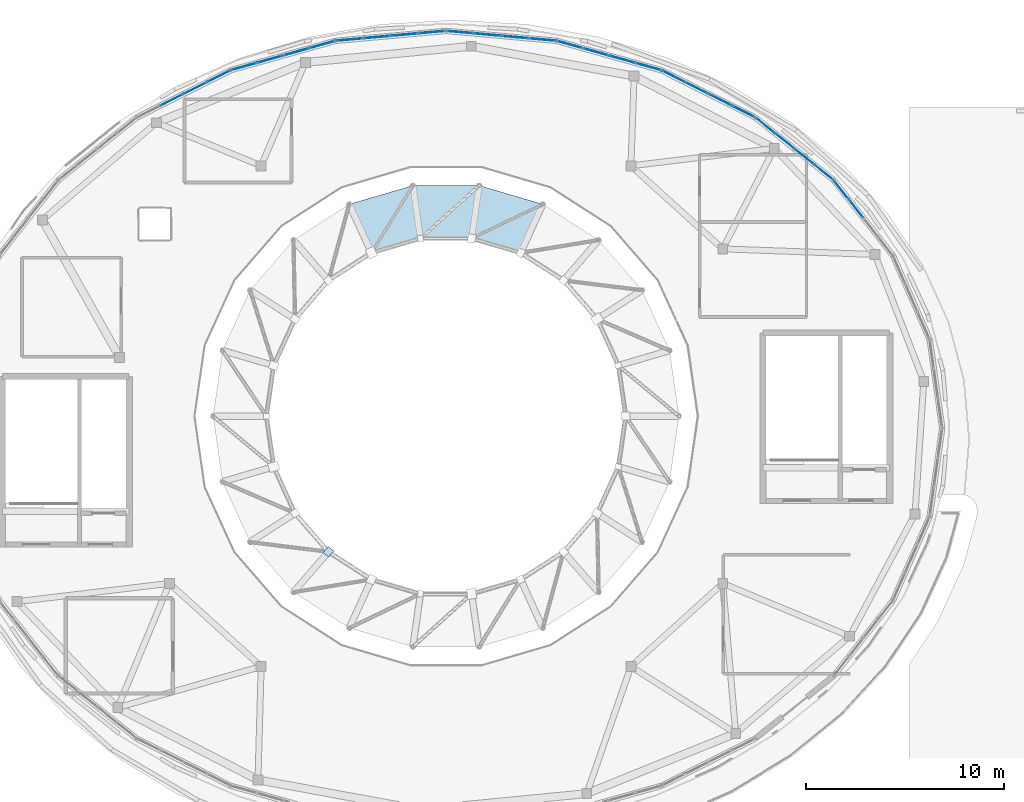
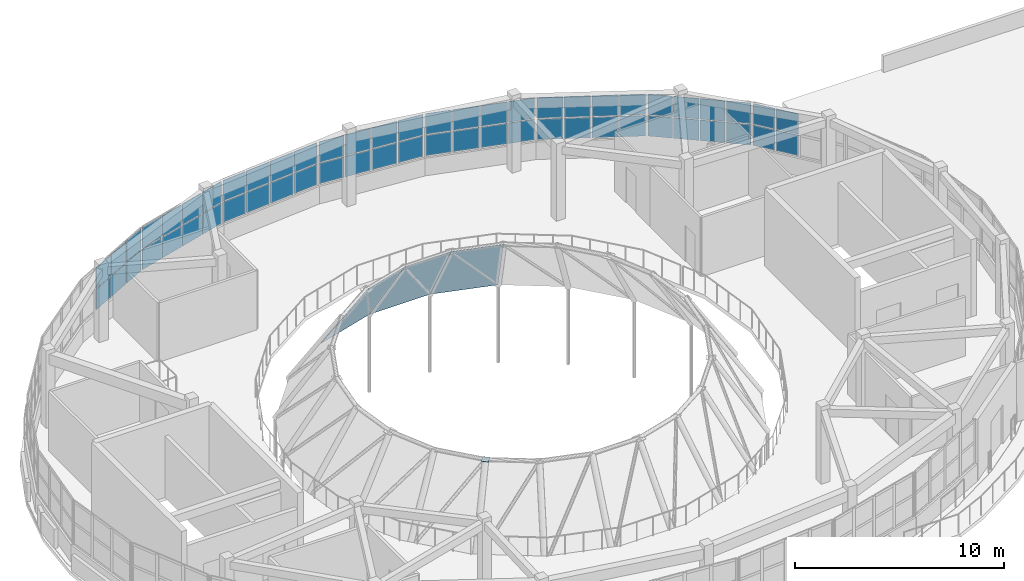
# One storey, part 32 of 38: 62 plates, 8 elements without a shape of their own.
"""IFC4 building model written with IfcOpenShell, lengths in metres."""

import ifcopenshell
import ifcopenshell.guid

model = None  # the IFC model being written
_history = None  # IfcOwnerHistory: only IFC2X3 demands one
_inside = {}  # id of a spatial element -> (the spatial element, [elements in it])
_under = {}  # id of a project, library or spatial element -> (it, [spatial elements below it])
_declared = {}  # id of a project -> (the project, [libraries it declares])
_typed = {}  # id of a type object -> (the type object, [elements of that type])
_made_of = {}  # id of a material, layer set ... -> (it, [elements and type objects made of it])


def new_model(schema):
    """Start an empty IFC model of exactly this schema.

    Asked for "IFC4X3", IfcOpenShell would pick the latest addendum, in which some entities
    have other attributes; the version numbers below select the first issue.
    IFC2X3 requires an IfcOwnerHistory on every rooted entity: one is made here for all.
    """
    global model, _history
    if schema == "IFC4X3":
        model = ifcopenshell.file(schema_version=(4, 3, 0, 0))
    else:
        model = ifcopenshell.file(schema=schema)
    _inside.clear()
    _under.clear()
    _declared.clear()
    _typed.clear()
    _made_of.clear()
    _history = None
    if model.schema == "IFC2X3":
        org = make("IfcOrganization", Name="unknown")
        user = make(
            "IfcPersonAndOrganization",
            ThePerson=make("IfcPerson", FamilyName="unknown"),
            TheOrganization=org,
        )
        app = make(
            "IfcApplication",
            ApplicationDeveloper=org,
            Version="unknown",
            ApplicationFullName="unknown",
            ApplicationIdentifier="unknown",
        )
        _history = make(
            "IfcOwnerHistory",
            OwningUser=user,
            OwningApplication=app,
            ChangeAction="ADDED",
            CreationDate=0,
        )
    return model


def make(cls, **values):
    """One entity of the class cls with the attributes given. An attribute that is None is left unset."""
    return model.create_entity(
        cls, **{name: value for name, value in values.items() if value is not None}
    )


def rooted(cls, **values):
    """An entity with a GlobalId (a new one), such as an element, a storey or a relation."""
    return make(cls, GlobalId=ifcopenshell.guid.new(), OwnerHistory=_history, **values)


def si_unit(unit_type, name, prefix=None):
    """IfcSIUnit, for example si_unit("LENGTHUNIT", "METRE", prefix="MILLI")."""
    return make("IfcSIUnit", UnitType=unit_type, Prefix=prefix, Name=name)


def assignment(units):
    """IfcUnitAssignment: the units of a project."""
    return None if units is None else make("IfcUnitAssignment", Units=units)


def point(xyz):
    """IfcCartesianPoint."""
    return None if xyz is None else make("IfcCartesianPoint", Coordinates=xyz)


def direction(xyz):
    """IfcDirection."""
    return None if xyz is None else make("IfcDirection", DirectionRatios=xyz)


def frame(location, z_axis=None, x_axis=None):
    """IfcAxis2Placement3D, a coordinate frame: its origin and axes. An axis left out is left unset."""
    return make(
        "IfcAxis2Placement3D",
        Location=point(location),
        Axis=direction(z_axis),
        RefDirection=direction(x_axis),
    )


def frame_2d(location, x_axis=None):
    """IfcAxis2Placement2D, a coordinate frame in the plane: its origin and x axis."""
    return make(
        "IfcAxis2Placement2D", Location=point(location), RefDirection=direction(x_axis)
    )


def origin():
    """The frame at (0, 0, 0) with its axes left unset."""
    return frame((0.0, 0.0, 0.0))


def origin_2d():
    """The frame at (0, 0) in the plane with its x axis left unset."""
    return frame_2d((0.0, 0.0))


def place(relative_to, where):
    """IfcLocalPlacement: puts the frame where relative to a parent placement (None: the world)."""
    return make(
        "IfcLocalPlacement", PlacementRelTo=relative_to, RelativePlacement=where
    )


def context(
    kind, dimensions, precision=None, world=None, true_north=None, identifier=None
):
    """IfcGeometricRepresentationContext, for example the 3D "Model" context."""
    return make(
        "IfcGeometricRepresentationContext",
        ContextIdentifier=identifier,
        ContextType=kind,
        CoordinateSpaceDimension=dimensions,
        Precision=precision,
        WorldCoordinateSystem=world,
        TrueNorth=true_north,
    )


def subcontext(parent, identifier, kind, view, scale=None):
    """IfcGeometricRepresentationSubContext, for example "Body" below "Model"."""
    return make(
        "IfcGeometricRepresentationSubContext",
        ContextIdentifier=identifier,
        ContextType=kind,
        ParentContext=parent,
        TargetScale=scale,
        TargetView=view,
    )


def project(units=None, contexts=None):
    """IfcProject with its units and contexts."""
    return rooted(
        "IfcProject",
        Name="project",
        RepresentationContexts=contexts,
        UnitsInContext=assignment(units),
    )


def spatial(cls, under=None, at=None, **own):
    """A site, building, storey or space (cls), placed at a placement, below another one or the project."""
    s = rooted(cls, ObjectPlacement=at, **own)
    if under is not None:
        _under.setdefault(under.id(), (under, []))[1].append(s)
    return s


def polyline(points):
    """IfcPolyline through the points."""
    return make("IfcPolyline", Points=[point(p) for p in points])


def profile(cls, at=None, kind="AREA", **sizes):
    """A parametric profile (cls). Its sizes go by their IFC names, for example OverallWidth=200.0."""
    return make(cls, ProfileType=kind, Position=at, **sizes)


def rectangle(**sizes):
    """IfcRectangleProfileDef."""
    return profile("IfcRectangleProfileDef", **sizes)


def outline(outer, holes=None, kind="AREA"):
    """IfcArbitraryClosedProfileDef: a profile drawn as a closed curve; with holes, ...WithVoids."""
    if holes is None:
        return make("IfcArbitraryClosedProfileDef", ProfileType=kind, OuterCurve=outer)
    return make(
        "IfcArbitraryProfileDefWithVoids",
        ProfileType=kind,
        OuterCurve=outer,
        InnerCurves=holes,
    )


def extrude(swept, where, along, depth):
    """IfcExtrudedAreaSolid: the profile swept, set in the frame where, extruded along a direction by depth."""
    return make(
        "IfcExtrudedAreaSolid",
        SweptArea=swept,
        Position=where,
        ExtrudedDirection=direction(along),
        Depth=depth,
    )


def shape(context_of_items, identifier, shape_type, items):
    """IfcShapeRepresentation: the items that make up one representation, for example the "Body"."""
    return make(
        "IfcShapeRepresentation",
        ContextOfItems=context_of_items,
        RepresentationIdentifier=identifier,
        RepresentationType=shape_type,
        Items=items,
    )


def material(Name=None, Category=None):
    """IfcMaterial."""
    return make("IfcMaterial", Name=Name, Category=Category)


def layer(
    of_material, thickness, ventilated=None, Name=None, Category=None, Priority=None
):
    """IfcMaterialLayer: one layer of a wall or slab, of a material (None: an air gap)."""
    return make(
        "IfcMaterialLayer",
        Material=of_material,
        LayerThickness=thickness,
        IsVentilated=ventilated,
        Name=Name,
        Category=Category,
        Priority=Priority,
    )


def layer_set(layers, Name=None):
    """IfcMaterialLayerSet."""
    return make("IfcMaterialLayerSet", MaterialLayers=layers, LayerSetName=Name)


def made_of(thing, what):
    """Note that an element or type object is made of a material, layer set ...; save() writes the relation."""
    if what is not None:
        _made_of.setdefault(what.id(), (what, []))[1].append(thing)
    return thing


def type_object(cls, material=None, **own):
    """A type object (cls), such as IfcWallType, which elements share."""
    return made_of(rooted(cls, **own), material)


def element(
    cls,
    number,
    at=None,
    inside=None,
    cuts=None,
    type_object=None,
    material=None,
    context=None,
    identifier="Body",
    shape_type=None,
    held_by="IfcProductDefinitionShape",
    body=None,
    shapes=None,
    **own,
):
    """One element of the class cls, such as IfcWall. Its Tag is "e" and its number.

    at: its placement. inside: the storey or other place that contains it. cuts: it is an
    opening in that element (IfcRelVoidsElement). A single representation is given by context,
    identifier, shape_type and body (its items); several are given by shapes. held_by: the class
    of the entity that holds the representations. save() writes the other relations.
    """
    e = rooted(cls, Tag="e%d" % number, ObjectPlacement=at, **own)
    if body is not None:
        shapes = [shape(context, identifier, shape_type, body)]
    if shapes is not None:
        e.Representation = make(held_by, Representations=shapes)
    if inside is not None:
        _inside.setdefault(inside.id(), (inside, []))[1].append(e)
    if cuts is not None:
        rooted(
            "IfcRelVoidsElement", RelatingBuildingElement=cuts, RelatedOpeningElement=e
        )
    if type_object is not None:
        _typed.setdefault(type_object.id(), (type_object, []))[1].append(e)
    return made_of(e, material)


def aggregate(whole, parts):
    """IfcRelAggregates: a whole, such as a stair, and the parts it consists of."""
    return rooted("IfcRelAggregates", RelatingObject=whole, RelatedObjects=parts)


def save(model, path):
    """Write the relations noted so far, then the file.

    IfcRelAggregates (storeys below a building ...), IfcRelContainedInSpatialStructure (elements
    in a storey), IfcRelDefinesByType, IfcRelAssociatesMaterial and IfcRelDeclares: one each for
    every whole, place, type object, material and project.
    """
    for whole, parts in _under.values():
        aggregate(whole, parts)
    for where, things in _inside.values():
        rooted(
            "IfcRelContainedInSpatialStructure",
            RelatedElements=things,
            RelatingStructure=where,
        )
    for kind, things in _typed.values():
        rooted("IfcRelDefinesByType", RelatedObjects=things, RelatingType=kind)
    for what, things in _made_of.values():
        rooted("IfcRelAssociatesMaterial", RelatedObjects=things, RelatingMaterial=what)
    for by, libraries in _declared.values():
        rooted("IfcRelDeclares", RelatingContext=by, RelatedDefinitions=libraries)
    model.write(path)


model = new_model("IFC4")

# Units and contexts
model_context = context("Model", 3, precision=1e-05, world=origin(), true_north=direction((0.0, 1.0)))
body_context = subcontext(model_context, "Body", "Model", "MODEL_VIEW")
ifc_project = project(units=[si_unit("LENGTHUNIT", "METRE"), si_unit("AREAUNIT", "SQUARE_METRE"), si_unit("VOLUMEUNIT", "CUBIC_METRE"), si_unit("PLANEANGLEUNIT", "RADIAN"), si_unit("MASSUNIT", "GRAM", prefix="KILO")], contexts=[model_context])

# Site, building, storey
site_placement = place(None, origin())
site = spatial("IfcSite", under=ifc_project, at=site_placement, CompositionType="ELEMENT")
building_placement = place(site_placement, origin())
building = spatial("IfcBuilding", under=site, at=building_placement, Name="Pelvatis Terrace Science Centre", CompositionType="ELEMENT")
storey_placement = place(building_placement, frame((0.0, 0.0, 24.300048828125)))
storey = spatial("IfcBuildingStorey", under=building, at=storey_placement, Name="L05", CompositionType="ELEMENT", Elevation=24.300048828125)

# Curtain wall, plates
ifc_material_1 = material(Name="Bronze-anodised aluminium and laminated glass", Category="aluminium")
ifc_layer_1 = layer(ifc_material_1, 0.179931640625)
ifc_layer_set_1 = layer_set([ifc_layer_1], Name="Bronze-anodised aluminium and laminated glass")
curtain_wall_type = type_object("IfcCurtainWallType", Name="CW-RIBBON-A", PredefinedType="NOTDEFINED", material=ifc_layer_set_1)
curtain_wall_1_placement = place(storey_placement, origin())
curtain_wall_1 = element("IfcCurtainWall", 1, at=curtain_wall_1_placement, inside=storey, type_object=curtain_wall_type, Name="Ribbon curtain wall CW-239 (L05)", PredefinedType="NOTDEFINED")
ifc_material_2 = material(Name="Low-e laminated solar-control double glazing", Category="glass")
ifc_layer_2 = layer(ifc_material_2, 0.035888671875)
ifc_layer_set_2 = layer_set([ifc_layer_2], Name="Low-e laminated solar-control double glazing")
plate_type_1 = type_object("IfcPlateType", Name="CWP-IGU-36", PredefinedType="CURTAIN_PANEL", material=ifc_layer_set_2)
plate_1_placement = place(storey_placement, frame((129.904052734375, 96.275390625, 1.080078125), z_axis=(0.0, 0.0, 1.0), x_axis=(-0.617492535697, 0.786576740286, 0.0)))
plate_1 = element("IfcPlate", 2, at=plate_1_placement, type_object=plate_type_1, Name="CW-239 panel 3.1", PredefinedType="CURTAIN_PANEL", context=body_context, shape_type="SweptSolid", body=[
    extrude(rectangle(XDim=1.148193359375, YDim=0.035888671875, at=origin_2d()), origin(), (0.0, 0.0, 1.0), 1.18994140625),
])
plate_2_placement = place(storey_placement, frame((129.904052734375, 96.275390625, 2.330078125), z_axis=(0.0, 0.0, 1.0), x_axis=(-0.617492535697, 0.786576740286, 0.0)))
plate_2 = element("IfcPlate", 3, at=plate_2_placement, type_object=plate_type_1, Name="CW-239 panel 3.2", PredefinedType="CURTAIN_PANEL", context=body_context, shape_type="SweptSolid", body=[
    extrude(rectangle(XDim=1.148193359375, YDim=0.035888671875, at=origin_2d()), origin(), (0.0, 0.0, 1.0), 1.18994140625),
])
plate_3_placement = place(storey_placement, frame((129.167236328125, 97.214111328125, 1.080078125), z_axis=(0.0, 0.0, 1.0), x_axis=(-0.617492535697, 0.786576740286, 0.0)))
plate_3 = element("IfcPlate", 4, at=plate_3_placement, type_object=plate_type_1, Name="CW-239 panel 4.1", PredefinedType="CURTAIN_PANEL", context=body_context, shape_type="SweptSolid", body=[
    extrude(rectangle(XDim=1.1181640625, YDim=0.035888671875, at=origin_2d()), origin(), (0.0, 0.0, 1.0), 1.18994140625),
])
plate_4_placement = place(storey_placement, frame((129.167236328125, 97.214111328125, 2.330078125), z_axis=(0.0, 0.0, 1.0), x_axis=(-0.617492535697, 0.786576740286, 0.0)))
plate_4 = element("IfcPlate", 5, at=plate_4_placement, type_object=plate_type_1, Name="CW-239 panel 4.2", PredefinedType="CURTAIN_PANEL", context=body_context, shape_type="SweptSolid", body=[
    extrude(rectangle(XDim=1.1181640625, YDim=0.035888671875, at=origin_2d()), origin(), (0.0, 0.0, 1.0), 1.18994140625),
])
aggregate(curtain_wall_1, [plate_1, plate_2, plate_3, plate_4])

curtain_wall_2_placement = place(storey_placement, origin())
curtain_wall_2 = element("IfcCurtainWall", 6, at=curtain_wall_2_placement, inside=storey, type_object=curtain_wall_type, Name="Ribbon curtain wall CW-240 (L05)", PredefinedType="NOTDEFINED")
plate_5_placement = place(storey_placement, frame((128.27734375, 98.107177734375, 1.080078125), z_axis=(0.0, 0.0, 1.0), x_axis=(-0.780724767005, 0.62487505806, 0.0)))
plate_5 = element("IfcPlate", 7, at=plate_5_placement, type_object=plate_type_1, Name="CW-240 panel 1.1", PredefinedType="CURTAIN_PANEL", context=body_context, shape_type="SweptSolid", body=[
    extrude(rectangle(XDim=1.18017578125, YDim=0.035888671875, at=origin_2d()), origin(), (0.0, 0.0, 1.0), 1.18994140625),
])
plate_6_placement = place(storey_placement, frame((128.27734375, 98.107177734375, 2.330078125), z_axis=(0.0, 0.0, 1.0), x_axis=(-0.780724767005, 0.62487505806, 0.0)))
plate_6 = element("IfcPlate", 8, at=plate_6_placement, type_object=plate_type_1, Name="CW-240 panel 1.2", PredefinedType="CURTAIN_PANEL", context=body_context, shape_type="SweptSolid", body=[
    extrude(rectangle(XDim=1.18017578125, YDim=0.035888671875, at=origin_2d()), origin(), (0.0, 0.0, 1.0), 1.18994140625),
])
plate_7_placement = place(storey_placement, frame((127.29736328125, 98.8916015625, 1.080078125), z_axis=(0.0, 0.0, 1.0), x_axis=(-0.780724767005, 0.62487505806, 0.0)))
plate_7 = element("IfcPlate", 9, at=plate_7_placement, type_object=plate_type_1, Name="CW-240 panel 2.1", PredefinedType="CURTAIN_PANEL", context=body_context, shape_type="SweptSolid", body=[
    extrude(rectangle(XDim=1.210205078125, YDim=0.035888671875, at=origin_2d()), origin(), (0.0, 0.0, 1.0), 1.18994140625),
])
plate_8_placement = place(storey_placement, frame((127.29736328125, 98.8916015625, 2.330078125), z_axis=(0.0, 0.0, 1.0), x_axis=(-0.780724767005, 0.62487505806, 0.0)))
plate_8 = element("IfcPlate", 10, at=plate_8_placement, type_object=plate_type_1, Name="CW-240 panel 2.2", PredefinedType="CURTAIN_PANEL", context=body_context, shape_type="SweptSolid", body=[
    extrude(rectangle(XDim=1.210205078125, YDim=0.035888671875, at=origin_2d()), origin(), (0.0, 0.0, 1.0), 1.18994140625),
])
plate_9_placement = place(storey_placement, frame((126.305908203125, 99.685302734375, 1.080078125), z_axis=(0.0, 0.0, 1.0), x_axis=(-0.780724767005, 0.62487505806, 0.0)))
plate_9 = element("IfcPlate", 11, at=plate_9_placement, type_object=plate_type_1, Name="CW-240 panel 3.1", PredefinedType="CURTAIN_PANEL", context=body_context, shape_type="SweptSolid", body=[
    extrude(rectangle(XDim=1.210205078125, YDim=0.035888671875, at=origin_2d()), origin(), (0.0, 0.0, 1.0), 1.18994140625),
])
plate_10_placement = place(storey_placement, frame((126.305908203125, 99.685302734375, 2.330078125), z_axis=(0.0, 0.0, 1.0), x_axis=(-0.780724767005, 0.62487505806, 0.0)))
plate_10 = element("IfcPlate", 12, at=plate_10_placement, type_object=plate_type_1, Name="CW-240 panel 3.2", PredefinedType="CURTAIN_PANEL", context=body_context, shape_type="SweptSolid", body=[
    extrude(rectangle(XDim=1.210205078125, YDim=0.035888671875, at=origin_2d()), origin(), (0.0, 0.0, 1.0), 1.18994140625),
])
plate_11_placement = place(storey_placement, frame((125.325927734375, 100.469482421875, 1.080078125), z_axis=(0.0, 0.0, 1.0), x_axis=(-0.780724767005, 0.62487505806, 0.0)))
plate_11 = element("IfcPlate", 13, at=plate_11_placement, type_object=plate_type_1, Name="CW-240 panel 4.1", PredefinedType="CURTAIN_PANEL", context=body_context, shape_type="SweptSolid", body=[
    extrude(rectangle(XDim=1.18017578125, YDim=0.035888671875, at=origin_2d()), origin(), (0.0, 0.0, 1.0), 1.18994140625),
])
plate_12_placement = place(storey_placement, frame((125.325927734375, 100.469482421875, 2.330078125), z_axis=(0.0, 0.0, 1.0), x_axis=(-0.780724767005, 0.62487505806, 0.0)))
plate_12 = element("IfcPlate", 14, at=plate_12_placement, type_object=plate_type_1, Name="CW-240 panel 4.2", PredefinedType="CURTAIN_PANEL", context=body_context, shape_type="SweptSolid", body=[
    extrude(rectangle(XDim=1.18017578125, YDim=0.035888671875, at=origin_2d()), origin(), (0.0, 0.0, 1.0), 1.18994140625),
])
aggregate(curtain_wall_2, [plate_5, plate_6, plate_7, plate_8, plate_9, plate_10, plate_11, plate_12])

curtain_wall_3_placement = place(storey_placement, origin())
curtain_wall_3 = element("IfcCurtainWall", 15, at=curtain_wall_3_placement, inside=storey, type_object=curtain_wall_type, Name="Ribbon curtain wall CW-241 (L05)", PredefinedType="NOTDEFINED")
plate_13_placement = place(storey_placement, frame((124.211181640625, 101.180908203125, 1.080078125), z_axis=(0.0, 0.0, 1.0), x_axis=(-0.893378933741, 0.449303995918, 0.0)))
plate_13 = element("IfcPlate", 16, at=plate_13_placement, type_object=plate_type_1, Name="CW-241 panel 1.1", PredefinedType="CURTAIN_PANEL", context=body_context, shape_type="SweptSolid", body=[
    extrude(rectangle(XDim=1.239013671875, YDim=0.035888671875, at=origin_2d()), origin(), (0.0, 0.0, 1.0), 1.18994140625),
])
plate_14_placement = place(storey_placement, frame((124.211181640625, 101.180908203125, 2.330078125), z_axis=(0.0, 0.0, 1.0), x_axis=(-0.893378933741, 0.449303995918, 0.0)))
plate_14 = element("IfcPlate", 17, at=plate_14_placement, type_object=plate_type_1, Name="CW-241 panel 1.2", PredefinedType="CURTAIN_PANEL", context=body_context, shape_type="SweptSolid", body=[
    extrude(rectangle(XDim=1.239013671875, YDim=0.035888671875, at=origin_2d()), origin(), (0.0, 0.0, 1.0), 1.18994140625),
])
plate_15_placement = place(storey_placement, frame((123.037353515625, 101.771484375, 1.080078125), z_axis=(0.0, 0.0, 1.0), x_axis=(-0.893378933741, 0.449303995918, 0.0)))
plate_15 = element("IfcPlate", 18, at=plate_15_placement, type_object=plate_type_1, Name="CW-241 panel 2.1", PredefinedType="CURTAIN_PANEL", context=body_context, shape_type="SweptSolid", body=[
    extrude(rectangle(XDim=1.26904296875, YDim=0.035888671875, at=origin_2d()), origin(), (0.0, 0.0, 1.0), 1.18994140625),
])
plate_16_placement = place(storey_placement, frame((123.037353515625, 101.771484375, 2.330078125), z_axis=(0.0, 0.0, 1.0), x_axis=(-0.893378933741, 0.449303995918, 0.0)))
plate_16 = element("IfcPlate", 19, at=plate_16_placement, type_object=plate_type_1, Name="CW-241 panel 2.2", PredefinedType="CURTAIN_PANEL", context=body_context, shape_type="SweptSolid", body=[
    extrude(rectangle(XDim=1.26904296875, YDim=0.035888671875, at=origin_2d()), origin(), (0.0, 0.0, 1.0), 1.18994140625),
])
plate_17_placement = place(storey_placement, frame((121.849853515625, 102.36865234375, 1.080078125), z_axis=(0.0, 0.0, 1.0), x_axis=(-0.893378933741, 0.449303995918, 0.0)))
plate_17 = element("IfcPlate", 20, at=plate_17_placement, type_object=plate_type_1, Name="CW-241 panel 3.1", PredefinedType="CURTAIN_PANEL", context=body_context, shape_type="SweptSolid", body=[
    extrude(rectangle(XDim=1.26904296875, YDim=0.035888671875, at=origin_2d()), origin(), (0.0, 0.0, 1.0), 1.18994140625),
])
plate_18_placement = place(storey_placement, frame((121.849853515625, 102.36865234375, 2.330078125), z_axis=(0.0, 0.0, 1.0), x_axis=(-0.893378933741, 0.449303995918, 0.0)))
plate_18 = element("IfcPlate", 21, at=plate_18_placement, type_object=plate_type_1, Name="CW-241 panel 3.2", PredefinedType="CURTAIN_PANEL", context=body_context, shape_type="SweptSolid", body=[
    extrude(rectangle(XDim=1.26904296875, YDim=0.035888671875, at=origin_2d()), origin(), (0.0, 0.0, 1.0), 1.18994140625),
])
plate_19_placement = place(storey_placement, frame((120.67578125, 102.958984375, 1.080078125), z_axis=(0.0, 0.0, 1.0), x_axis=(-0.893378933741, 0.449303995918, 0.0)))
plate_19 = element("IfcPlate", 22, at=plate_19_placement, type_object=plate_type_1, Name="CW-241 panel 4.1", PredefinedType="CURTAIN_PANEL", context=body_context, shape_type="SweptSolid", body=[
    extrude(rectangle(XDim=1.239013671875, YDim=0.035888671875, at=origin_2d()), origin(), (0.0, 0.0, 1.0), 1.18994140625),
])
plate_20_placement = place(storey_placement, frame((120.67578125, 102.958984375, 2.330078125), z_axis=(0.0, 0.0, 1.0), x_axis=(-0.893378933741, 0.449303995918, 0.0)))
plate_20 = element("IfcPlate", 23, at=plate_20_placement, type_object=plate_type_1, Name="CW-241 panel 4.2", PredefinedType="CURTAIN_PANEL", context=body_context, shape_type="SweptSolid", body=[
    extrude(rectangle(XDim=1.239013671875, YDim=0.035888671875, at=origin_2d()), origin(), (0.0, 0.0, 1.0), 1.18994140625),
])
aggregate(curtain_wall_3, [plate_13, plate_14, plate_15, plate_16, plate_17, plate_18, plate_19, plate_20])

curtain_wall_4_placement = place(storey_placement, origin())
curtain_wall_4 = element("IfcCurtainWall", 24, at=curtain_wall_4_placement, inside=storey, type_object=curtain_wall_type, Name="Ribbon curtain wall CW-242 (L05)", PredefinedType="NOTDEFINED")
plate_21_placement = place(storey_placement, frame((119.392578125, 103.453857421875, 1.080078125), z_axis=(0.0, 0.0, 1.0), x_axis=(-0.962945884526, 0.269694685663, 0.0)))
plate_21 = element("IfcPlate", 25, at=plate_21_placement, type_object=plate_type_1, Name="CW-242 panel 1.1", PredefinedType="CURTAIN_PANEL", context=body_context, shape_type="SweptSolid", body=[
    extrude(rectangle(XDim=1.28466796875, YDim=0.035888671875, at=origin_2d()), origin(), (0.0, 0.0, 1.0), 1.18994140625),
])
plate_22_placement = place(storey_placement, frame((119.392578125, 103.453857421875, 2.330078125), z_axis=(0.0, 0.0, 1.0), x_axis=(-0.962945884526, 0.269694685663, 0.0)))
plate_22 = element("IfcPlate", 26, at=plate_22_placement, type_object=plate_type_1, Name="CW-242 panel 1.2", PredefinedType="CURTAIN_PANEL", context=body_context, shape_type="SweptSolid", body=[
    extrude(rectangle(XDim=1.28466796875, YDim=0.035888671875, at=origin_2d()), origin(), (0.0, 0.0, 1.0), 1.18994140625),
])
plate_23_placement = place(storey_placement, frame((118.083251953125, 103.820556640625, 1.080078125), z_axis=(0.0, 0.0, 1.0), x_axis=(-0.962945884526, 0.269694685663, 0.0)))
plate_23 = element("IfcPlate", 27, at=plate_23_placement, type_object=plate_type_1, Name="CW-242 panel 2.1", PredefinedType="CURTAIN_PANEL", context=body_context, shape_type="SweptSolid", body=[
    extrude(rectangle(XDim=1.314697265625, YDim=0.035888671875, at=origin_2d()), origin(), (0.0, 0.0, 1.0), 1.18994140625),
])
plate_24_placement = place(storey_placement, frame((118.083251953125, 103.820556640625, 2.330078125), z_axis=(0.0, 0.0, 1.0), x_axis=(-0.962945884526, 0.269694685663, 0.0)))
plate_24 = element("IfcPlate", 28, at=plate_24_placement, type_object=plate_type_1, Name="CW-242 panel 2.2", PredefinedType="CURTAIN_PANEL", context=body_context, shape_type="SweptSolid", body=[
    extrude(rectangle(XDim=1.314697265625, YDim=0.035888671875, at=origin_2d()), origin(), (0.0, 0.0, 1.0), 1.18994140625),
])
plate_25_placement = place(storey_placement, frame((116.759521484375, 104.191162109375, 1.080078125), z_axis=(0.0, 0.0, 1.0), x_axis=(-0.962945884526, 0.269694685663, 0.0)))
plate_25 = element("IfcPlate", 29, at=plate_25_placement, type_object=plate_type_1, Name="CW-242 panel 3.1", PredefinedType="CURTAIN_PANEL", context=body_context, shape_type="SweptSolid", body=[
    extrude(rectangle(XDim=1.314697265625, YDim=0.035888671875, at=origin_2d()), origin(), (0.0, 0.0, 1.0), 1.18994140625),
])
plate_26_placement = place(storey_placement, frame((116.759521484375, 104.191162109375, 2.330078125), z_axis=(0.0, 0.0, 1.0), x_axis=(-0.962945884526, 0.269694685663, 0.0)))
plate_26 = element("IfcPlate", 30, at=plate_26_placement, type_object=plate_type_1, Name="CW-242 panel 3.2", PredefinedType="CURTAIN_PANEL", context=body_context, shape_type="SweptSolid", body=[
    extrude(rectangle(XDim=1.314697265625, YDim=0.035888671875, at=origin_2d()), origin(), (0.0, 0.0, 1.0), 1.18994140625),
])
plate_27_placement = place(storey_placement, frame((115.450439453125, 104.557861328125, 1.080078125), z_axis=(0.0, 0.0, 1.0), x_axis=(-0.962945884526, 0.269694685663, 0.0)))
plate_27 = element("IfcPlate", 31, at=plate_27_placement, type_object=plate_type_1, Name="CW-242 panel 4.1", PredefinedType="CURTAIN_PANEL", context=body_context, shape_type="SweptSolid", body=[
    extrude(rectangle(XDim=1.28466796875, YDim=0.035888671875, at=origin_2d()), origin(), (0.0, 0.0, 1.0), 1.18994140625),
])
plate_28_placement = place(storey_placement, frame((115.450439453125, 104.557861328125, 2.330078125), z_axis=(0.0, 0.0, 1.0), x_axis=(-0.962945884526, 0.269694685663, 0.0)))
plate_28 = element("IfcPlate", 32, at=plate_28_placement, type_object=plate_type_1, Name="CW-242 panel 4.2", PredefinedType="CURTAIN_PANEL", context=body_context, shape_type="SweptSolid", body=[
    extrude(rectangle(XDim=1.28466796875, YDim=0.035888671875, at=origin_2d()), origin(), (0.0, 0.0, 1.0), 1.18994140625),
])
aggregate(curtain_wall_4, [plate_21, plate_22, plate_23, plate_24, plate_25, plate_26, plate_27, plate_28])

curtain_wall_5_placement = place(storey_placement, origin())
curtain_wall_5 = element("IfcCurtainWall", 33, at=curtain_wall_5_placement, inside=storey, type_object=curtain_wall_type, Name="Ribbon curtain wall CW-243 (L05)", PredefinedType="NOTDEFINED")
plate_29_placement = place(storey_placement, frame((114.0625, 104.8115234375, 1.080078125), z_axis=(0.0, 0.0, 1.0), x_axis=(-0.995957975945, 0.089820432814, 0.0)))
plate_29 = element("IfcPlate", 34, at=plate_29_placement, type_object=plate_type_1, Name="CW-243 panel 1.1", PredefinedType="CURTAIN_PANEL", context=body_context, shape_type="SweptSolid", body=[
    extrude(rectangle(XDim=1.30908203125, YDim=0.035888671875, at=origin_2d()), origin(), (0.0, 0.0, 1.0), 1.18994140625),
])
plate_30_placement = place(storey_placement, frame((114.0625, 104.8115234375, 2.330078125), z_axis=(0.0, 0.0, 1.0), x_axis=(-0.995957975945, 0.089820432814, 0.0)))
plate_30 = element("IfcPlate", 35, at=plate_30_placement, type_object=plate_type_1, Name="CW-243 panel 1.2", PredefinedType="CURTAIN_PANEL", context=body_context, shape_type="SweptSolid", body=[
    extrude(rectangle(XDim=1.30908203125, YDim=0.035888671875, at=origin_2d()), origin(), (0.0, 0.0, 1.0), 1.18994140625),
])
plate_31_placement = place(storey_placement, frame((112.683837890625, 104.935791015625, 1.080078125), z_axis=(0.0, 0.0, 1.0), x_axis=(-0.995957975945, 0.089820432814, 0.0)))
plate_31 = element("IfcPlate", 36, at=plate_31_placement, type_object=plate_type_1, Name="CW-243 panel 2.1", PredefinedType="CURTAIN_PANEL", context=body_context, shape_type="SweptSolid", body=[
    extrude(rectangle(XDim=1.339111328125, YDim=0.035888671875, at=origin_2d()), origin(), (0.0, 0.0, 1.0), 1.18994140625),
])
plate_32_placement = place(storey_placement, frame((112.683837890625, 104.935791015625, 2.330078125), z_axis=(0.0, 0.0, 1.0), x_axis=(-0.995957975945, 0.089820432814, 0.0)))
plate_32 = element("IfcPlate", 37, at=plate_32_placement, type_object=plate_type_1, Name="CW-243 panel 2.2", PredefinedType="CURTAIN_PANEL", context=body_context, shape_type="SweptSolid", body=[
    extrude(rectangle(XDim=1.339111328125, YDim=0.035888671875, at=origin_2d()), origin(), (0.0, 0.0, 1.0), 1.18994140625),
])
plate_33_placement = place(storey_placement, frame((111.290283203125, 105.0615234375, 1.080078125), z_axis=(0.0, 0.0, 1.0), x_axis=(-0.995957975945, 0.089820432814, 0.0)))
plate_33 = element("IfcPlate", 38, at=plate_33_placement, type_object=plate_type_1, Name="CW-243 panel 3.1", PredefinedType="CURTAIN_PANEL", context=body_context, shape_type="SweptSolid", body=[
    extrude(rectangle(XDim=1.339111328125, YDim=0.035888671875, at=origin_2d()), origin(), (0.0, 0.0, 1.0), 1.18994140625),
])
plate_34_placement = place(storey_placement, frame((111.290283203125, 105.0615234375, 2.330078125), z_axis=(0.0, 0.0, 1.0), x_axis=(-0.995957975945, 0.089820432814, 0.0)))
plate_34 = element("IfcPlate", 39, at=plate_34_placement, type_object=plate_type_1, Name="CW-243 panel 3.2", PredefinedType="CURTAIN_PANEL", context=body_context, shape_type="SweptSolid", body=[
    extrude(rectangle(XDim=1.339111328125, YDim=0.035888671875, at=origin_2d()), origin(), (0.0, 0.0, 1.0), 1.18994140625),
])
plate_35_placement = place(storey_placement, frame((109.91162109375, 105.185791015625, 1.080078125), z_axis=(0.0, 0.0, 1.0), x_axis=(-0.995957975945, 0.089820432814, 0.0)))
plate_35 = element("IfcPlate", 40, at=plate_35_placement, type_object=plate_type_1, Name="CW-243 panel 4.1", PredefinedType="CURTAIN_PANEL", context=body_context, shape_type="SweptSolid", body=[
    extrude(rectangle(XDim=1.30908203125, YDim=0.035888671875, at=origin_2d()), origin(), (0.0, 0.0, 1.0), 1.18994140625),
])
plate_36_placement = place(storey_placement, frame((109.91162109375, 105.185791015625, 2.330078125), z_axis=(0.0, 0.0, 1.0), x_axis=(-0.995957975945, 0.089820432814, 0.0)))
plate_36 = element("IfcPlate", 41, at=plate_36_placement, type_object=plate_type_1, Name="CW-243 panel 4.2", PredefinedType="CURTAIN_PANEL", context=body_context, shape_type="SweptSolid", body=[
    extrude(rectangle(XDim=1.30908203125, YDim=0.035888671875, at=origin_2d()), origin(), (0.0, 0.0, 1.0), 1.18994140625),
])
aggregate(curtain_wall_5, [plate_29, plate_30, plate_31, plate_32, plate_33, plate_34, plate_35, plate_36])

curtain_wall_6_placement = place(storey_placement, origin())
curtain_wall_6 = element("IfcCurtainWall", 42, at=curtain_wall_6_placement, inside=storey, type_object=curtain_wall_type, Name="Ribbon curtain wall CW-244 (L05)", PredefinedType="NOTDEFINED")
plate_37_placement = place(storey_placement, frame((108.48828125, 105.185791015625, 1.080078125), z_axis=(0.0, 0.0, 1.0), x_axis=(-0.995957975945, -0.089820432814, 0.0)))
plate_37 = element("IfcPlate", 43, at=plate_37_placement, type_object=plate_type_1, Name="CW-244 panel 1.1", PredefinedType="CURTAIN_PANEL", context=body_context, shape_type="SweptSolid", body=[
    extrude(rectangle(XDim=1.30908203125, YDim=0.035888671875, at=origin_2d()), origin(), (0.0, 0.0, 1.0), 1.18994140625),
])
plate_38_placement = place(storey_placement, frame((108.48828125, 105.185791015625, 2.330078125), z_axis=(0.0, 0.0, 1.0), x_axis=(-0.995957975945, -0.089820432814, 0.0)))
plate_38 = element("IfcPlate", 44, at=plate_38_placement, type_object=plate_type_1, Name="CW-244 panel 1.2", PredefinedType="CURTAIN_PANEL", context=body_context, shape_type="SweptSolid", body=[
    extrude(rectangle(XDim=1.30908203125, YDim=0.035888671875, at=origin_2d()), origin(), (0.0, 0.0, 1.0), 1.18994140625),
])
plate_39_placement = place(storey_placement, frame((107.109619140625, 105.0615234375, 1.080078125), z_axis=(0.0, 0.0, 1.0), x_axis=(-0.995957975945, -0.089820432814, 0.0)))
plate_39 = element("IfcPlate", 45, at=plate_39_placement, type_object=plate_type_1, Name="CW-244 panel 2.1", PredefinedType="CURTAIN_PANEL", context=body_context, shape_type="SweptSolid", body=[
    extrude(rectangle(XDim=1.339111328125, YDim=0.035888671875, at=origin_2d()), origin(), (0.0, 0.0, 1.0), 1.18994140625),
])
plate_40_placement = place(storey_placement, frame((107.109619140625, 105.0615234375, 2.330078125), z_axis=(0.0, 0.0, 1.0), x_axis=(-0.995957975945, -0.089820432814, 0.0)))
plate_40 = element("IfcPlate", 46, at=plate_40_placement, type_object=plate_type_1, Name="CW-244 panel 2.2", PredefinedType="CURTAIN_PANEL", context=body_context, shape_type="SweptSolid", body=[
    extrude(rectangle(XDim=1.339111328125, YDim=0.035888671875, at=origin_2d()), origin(), (0.0, 0.0, 1.0), 1.18994140625),
])
plate_41_placement = place(storey_placement, frame((105.71630859375, 104.935791015625, 1.080078125), z_axis=(0.0, 0.0, 1.0), x_axis=(-0.995957975945, -0.089820432814, 0.0)))
plate_41 = element("IfcPlate", 47, at=plate_41_placement, type_object=plate_type_1, Name="CW-244 panel 3.1", PredefinedType="CURTAIN_PANEL", context=body_context, shape_type="SweptSolid", body=[
    extrude(rectangle(XDim=1.339111328125, YDim=0.035888671875, at=origin_2d()), origin(), (0.0, 0.0, 1.0), 1.18994140625),
])
plate_42_placement = place(storey_placement, frame((105.71630859375, 104.935791015625, 2.330078125), z_axis=(0.0, 0.0, 1.0), x_axis=(-0.995957975945, -0.089820432814, 0.0)))
plate_42 = element("IfcPlate", 48, at=plate_42_placement, type_object=plate_type_1, Name="CW-244 panel 3.2", PredefinedType="CURTAIN_PANEL", context=body_context, shape_type="SweptSolid", body=[
    extrude(rectangle(XDim=1.339111328125, YDim=0.035888671875, at=origin_2d()), origin(), (0.0, 0.0, 1.0), 1.18994140625),
])
plate_43_placement = place(storey_placement, frame((104.337646484375, 104.8115234375, 1.080078125), z_axis=(0.0, 0.0, 1.0), x_axis=(-0.995957975945, -0.089820432814, 0.0)))
plate_43 = element("IfcPlate", 49, at=plate_43_placement, type_object=plate_type_1, Name="CW-244 panel 4.1", PredefinedType="CURTAIN_PANEL", context=body_context, shape_type="SweptSolid", body=[
    extrude(rectangle(XDim=1.30908203125, YDim=0.035888671875, at=origin_2d()), origin(), (0.0, 0.0, 1.0), 1.18994140625),
])
plate_44_placement = place(storey_placement, frame((104.337646484375, 104.8115234375, 2.330078125), z_axis=(0.0, 0.0, 1.0), x_axis=(-0.995957975945, -0.089820432814, 0.0)))
plate_44 = element("IfcPlate", 50, at=plate_44_placement, type_object=plate_type_1, Name="CW-244 panel 4.2", PredefinedType="CURTAIN_PANEL", context=body_context, shape_type="SweptSolid", body=[
    extrude(rectangle(XDim=1.30908203125, YDim=0.035888671875, at=origin_2d()), origin(), (0.0, 0.0, 1.0), 1.18994140625),
])
aggregate(curtain_wall_6, [plate_37, plate_38, plate_39, plate_40, plate_41, plate_42, plate_43, plate_44])

curtain_wall_7_placement = place(storey_placement, origin())
curtain_wall_7 = element("IfcCurtainWall", 51, at=curtain_wall_7_placement, inside=storey, type_object=curtain_wall_type, Name="Ribbon curtain wall CW-245 (L05)", PredefinedType="NOTDEFINED")
plate_45_placement = place(storey_placement, frame((102.94970703125, 104.557861328125, 1.080078125), z_axis=(0.0, 0.0, 1.0), x_axis=(-0.962945884526, -0.269694685663, 0.0)))
plate_45 = element("IfcPlate", 52, at=plate_45_placement, type_object=plate_type_1, Name="CW-245 panel 1.1", PredefinedType="CURTAIN_PANEL", context=body_context, shape_type="SweptSolid", body=[
    extrude(rectangle(XDim=1.28466796875, YDim=0.035888671875, at=origin_2d()), origin(), (0.0, 0.0, 1.0), 1.18994140625),
])
plate_46_placement = place(storey_placement, frame((102.94970703125, 104.557861328125, 2.330078125), z_axis=(0.0, 0.0, 1.0), x_axis=(-0.962945884526, -0.269694685663, 0.0)))
plate_46 = element("IfcPlate", 53, at=plate_46_placement, type_object=plate_type_1, Name="CW-245 panel 1.2", PredefinedType="CURTAIN_PANEL", context=body_context, shape_type="SweptSolid", body=[
    extrude(rectangle(XDim=1.28466796875, YDim=0.035888671875, at=origin_2d()), origin(), (0.0, 0.0, 1.0), 1.18994140625),
])
plate_47_placement = place(storey_placement, frame((101.640380859375, 104.191162109375, 1.080078125), z_axis=(0.0, 0.0, 1.0), x_axis=(-0.962945884526, -0.269694685663, 0.0)))
plate_47 = element("IfcPlate", 54, at=plate_47_placement, type_object=plate_type_1, Name="CW-245 panel 2.1", PredefinedType="CURTAIN_PANEL", context=body_context, shape_type="SweptSolid", body=[
    extrude(rectangle(XDim=1.314697265625, YDim=0.035888671875, at=origin_2d()), origin(), (0.0, 0.0, 1.0), 1.18994140625),
])
plate_48_placement = place(storey_placement, frame((101.640380859375, 104.191162109375, 2.330078125), z_axis=(0.0, 0.0, 1.0), x_axis=(-0.962945884526, -0.269694685663, 0.0)))
plate_48 = element("IfcPlate", 55, at=plate_48_placement, type_object=plate_type_1, Name="CW-245 panel 2.2", PredefinedType="CURTAIN_PANEL", context=body_context, shape_type="SweptSolid", body=[
    extrude(rectangle(XDim=1.314697265625, YDim=0.035888671875, at=origin_2d()), origin(), (0.0, 0.0, 1.0), 1.18994140625),
])
plate_49_placement = place(storey_placement, frame((100.316650390625, 103.820556640625, 1.080078125), z_axis=(0.0, 0.0, 1.0), x_axis=(-0.962945884526, -0.269694685663, 0.0)))
plate_49 = element("IfcPlate", 56, at=plate_49_placement, type_object=plate_type_1, Name="CW-245 panel 3.1", PredefinedType="CURTAIN_PANEL", context=body_context, shape_type="SweptSolid", body=[
    extrude(rectangle(XDim=1.314697265625, YDim=0.035888671875, at=origin_2d()), origin(), (0.0, 0.0, 1.0), 1.18994140625),
])
plate_50_placement = place(storey_placement, frame((100.316650390625, 103.820556640625, 2.330078125), z_axis=(0.0, 0.0, 1.0), x_axis=(-0.962945884526, -0.269694685663, 0.0)))
plate_50 = element("IfcPlate", 57, at=plate_50_placement, type_object=plate_type_1, Name="CW-245 panel 3.2", PredefinedType="CURTAIN_PANEL", context=body_context, shape_type="SweptSolid", body=[
    extrude(rectangle(XDim=1.314697265625, YDim=0.035888671875, at=origin_2d()), origin(), (0.0, 0.0, 1.0), 1.18994140625),
])
plate_51_placement = place(storey_placement, frame((99.007568359375, 103.453857421875, 1.080078125), z_axis=(0.0, 0.0, 1.0), x_axis=(-0.962945884526, -0.269694685663, 0.0)))
plate_51 = element("IfcPlate", 58, at=plate_51_placement, type_object=plate_type_1, Name="CW-245 panel 4.1", PredefinedType="CURTAIN_PANEL", context=body_context, shape_type="SweptSolid", body=[
    extrude(rectangle(XDim=1.28466796875, YDim=0.035888671875, at=origin_2d()), origin(), (0.0, 0.0, 1.0), 1.18994140625),
])
plate_52_placement = place(storey_placement, frame((99.007568359375, 103.453857421875, 2.330078125), z_axis=(0.0, 0.0, 1.0), x_axis=(-0.962945884526, -0.269694685663, 0.0)))
plate_52 = element("IfcPlate", 59, at=plate_52_placement, type_object=plate_type_1, Name="CW-245 panel 4.2", PredefinedType="CURTAIN_PANEL", context=body_context, shape_type="SweptSolid", body=[
    extrude(rectangle(XDim=1.28466796875, YDim=0.035888671875, at=origin_2d()), origin(), (0.0, 0.0, 1.0), 1.18994140625),
])
aggregate(curtain_wall_7, [plate_45, plate_46, plate_47, plate_48, plate_49, plate_50, plate_51, plate_52])

curtain_wall_8_placement = place(storey_placement, origin())
curtain_wall_8 = element("IfcCurtainWall", 60, at=curtain_wall_8_placement, inside=storey, type_object=curtain_wall_type, Name="Ribbon curtain wall CW-246 (L05)", PredefinedType="NOTDEFINED")
plate_53_placement = place(storey_placement, frame((97.72412109375, 102.958984375, 1.080078125), z_axis=(0.0, 0.0, 1.0), x_axis=(-0.893378933741, -0.449303995918, 0.0)))
plate_53 = element("IfcPlate", 61, at=plate_53_placement, type_object=plate_type_1, Name="CW-246 panel 1.1", PredefinedType="CURTAIN_PANEL", context=body_context, shape_type="SweptSolid", body=[
    extrude(rectangle(XDim=1.239013671875, YDim=0.035888671875, at=origin_2d()), origin(), (0.0, 0.0, 1.0), 1.18994140625),
])
plate_54_placement = place(storey_placement, frame((97.72412109375, 102.958984375, 2.330078125), z_axis=(0.0, 0.0, 1.0), x_axis=(-0.893378933741, -0.449303995918, 0.0)))
plate_54 = element("IfcPlate", 62, at=plate_54_placement, type_object=plate_type_1, Name="CW-246 panel 1.2", PredefinedType="CURTAIN_PANEL", context=body_context, shape_type="SweptSolid", body=[
    extrude(rectangle(XDim=1.239013671875, YDim=0.035888671875, at=origin_2d()), origin(), (0.0, 0.0, 1.0), 1.18994140625),
])
plate_55_placement = place(storey_placement, frame((96.550048828125, 102.36865234375, 1.080078125), z_axis=(0.0, 0.0, 1.0), x_axis=(-0.893378933741, -0.449303995918, 0.0)))
plate_55 = element("IfcPlate", 63, at=plate_55_placement, type_object=plate_type_1, Name="CW-246 panel 2.1", PredefinedType="CURTAIN_PANEL", context=body_context, shape_type="SweptSolid", body=[
    extrude(rectangle(XDim=1.26904296875, YDim=0.035888671875, at=origin_2d()), origin(), (0.0, 0.0, 1.0), 1.18994140625),
])
plate_56_placement = place(storey_placement, frame((96.550048828125, 102.36865234375, 2.330078125), z_axis=(0.0, 0.0, 1.0), x_axis=(-0.893378933741, -0.449303995918, 0.0)))
plate_56 = element("IfcPlate", 64, at=plate_56_placement, type_object=plate_type_1, Name="CW-246 panel 2.2", PredefinedType="CURTAIN_PANEL", context=body_context, shape_type="SweptSolid", body=[
    extrude(rectangle(XDim=1.26904296875, YDim=0.035888671875, at=origin_2d()), origin(), (0.0, 0.0, 1.0), 1.18994140625),
])
plate_57_placement = place(storey_placement, frame((95.36279296875, 101.771484375, 1.080078125), z_axis=(0.0, 0.0, 1.0), x_axis=(-0.893378933741, -0.449303995918, 0.0)))
plate_57 = element("IfcPlate", 65, at=plate_57_placement, type_object=plate_type_1, Name="CW-246 panel 3.1", PredefinedType="CURTAIN_PANEL", context=body_context, shape_type="SweptSolid", body=[
    extrude(rectangle(XDim=1.26904296875, YDim=0.035888671875, at=origin_2d()), origin(), (0.0, 0.0, 1.0), 1.18994140625),
])
plate_58_placement = place(storey_placement, frame((95.36279296875, 101.771484375, 2.330078125), z_axis=(0.0, 0.0, 1.0), x_axis=(-0.893378933741, -0.449303995918, 0.0)))
plate_58 = element("IfcPlate", 66, at=plate_58_placement, type_object=plate_type_1, Name="CW-246 panel 3.2", PredefinedType="CURTAIN_PANEL", context=body_context, shape_type="SweptSolid", body=[
    extrude(rectangle(XDim=1.26904296875, YDim=0.035888671875, at=origin_2d()), origin(), (0.0, 0.0, 1.0), 1.18994140625),
])
aggregate(curtain_wall_8, [plate_53, plate_54, plate_55, plate_56, plate_57, plate_58])

# Plates
ifc_material_3 = material(Name="Bronze-patinated standing-seam titanium-zinc sheet", Category="steel")
ifc_layer_3 = layer(ifc_material_3, 0.013916015625)
ifc_layer_set_3 = layer_set([ifc_layer_3], Name="Bronze-patinated standing-seam titanium-zinc sheet")
plate_type_2 = type_object("IfcPlateType", Name="PLT-DOM-SH14", PredefinedType="SHEET", material=ifc_layer_set_3)
plate_59_placement = place(storey_placement, frame((114.086669921875, 96.5, -1.1845703125), z_axis=(0.238324372499, 0.811612762186, 0.53337249435), x_axis=(-0.959488970306, 0.281746190497, 1.505258e-06)))
element("IfcPlate", 67, at=plate_59_placement, inside=storey, type_object=plate_type_2, Name="Planetarium dome shell panel 2.05", PredefinedType="SHEET", context=body_context, shape_type="SweptSolid", body=[
    extrude(outline(polyline([(0.0, 0.0), (3.348286777424859, -5.551115123125783e-17), (2.963978175556628, 5.009336825356998), (0.38437427173141575, 5.009347374134468), (0.0, 0.0)])), origin(), (0.0, 0.0, -1.0), 0.013916015625),
])
plate_60_placement = place(storey_placement, frame((110.8740234375, 97.443359375, -1.1845703125), z_axis=(0.0, 0.845877801756, 0.533376737867), x_axis=(-1.0, 0.0, 0.0)))
element("IfcPlate", 68, at=plate_60_placement, inside=storey, type_object=plate_type_2, Name="Planetarium dome shell panel 2.06", PredefinedType="SHEET", context=body_context, shape_type="SweptSolid", body=[
    extrude(outline(polyline([(0.0, 0.0), (3.34814453125, 0.0), (2.9638671875, 5.009357945918267), (0.384033203125, 5.009357945918267), (0.0, 0.0)])), origin(), (0.0, 0.0, -1.0), 0.013916015625),
])
plate_61_placement = place(storey_placement, frame((107.52587890625, 97.443359375, -1.1845703125), z_axis=(-0.238324372499, 0.811612762186, 0.53337249435), x_axis=(-0.959487323534, -0.281751798426, 7.763935e-06)))
element("IfcPlate", 69, at=plate_61_placement, inside=storey, type_object=plate_type_2, Name="Planetarium dome shell panel 2.07", PredefinedType="SHEET", context=body_context, shape_type="SweptSolid", body=[
    extrude(outline(polyline([(0.0, 0.0), (3.348052527388983, 5.551115123125783e-17), (2.9639673981501145, 5.00931489515853), (0.3841292445293385, 5.009369304451033), (0.0, 0.0)])), origin(), (0.0, 0.0, -1.0), 0.013916015625),
])
ifc_material_4 = material(Name="Structural steel S355", Category="steel")
ifc_layer_4 = layer(ifc_material_4, 0.02197265625)
ifc_layer_set_4 = layer_set([ifc_layer_4], Name="Structural steel S355")
plate_type_3 = type_object("IfcPlateType", Name="PLT-GUS-400x360x22", PredefinedType="USERDEFINED", material=ifc_layer_set_4)
plate_62_placement = place(storey_placement, frame((103.2646484375, 78.9501953125, 3.041748046875), z_axis=(0.0, 0.0, 1.0), x_axis=(-0.654872725061, -0.755739183826, 0.0)))
element("IfcPlate", 70, at=plate_62_placement, inside=storey, type_object=plate_type_3, Name="Dome node gusset plate 3.15", ObjectType="GUSSET", PredefinedType="USERDEFINED", context=body_context, shape_type="SweptSolid", body=[
    extrude(rectangle(XDim=0.39990234375, YDim=0.360107421875, at=origin_2d()), origin(), (0.0, 0.0, 1.0), 0.02197265625),
])

save(model, "model.ifc")
